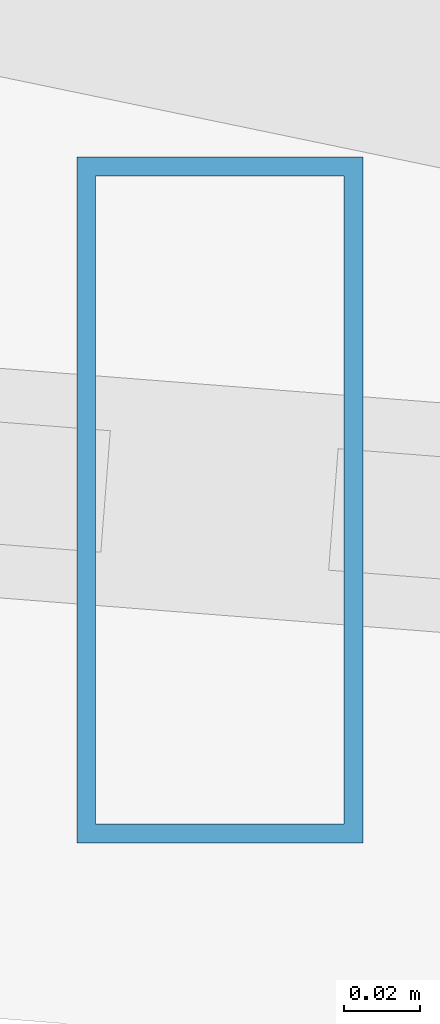
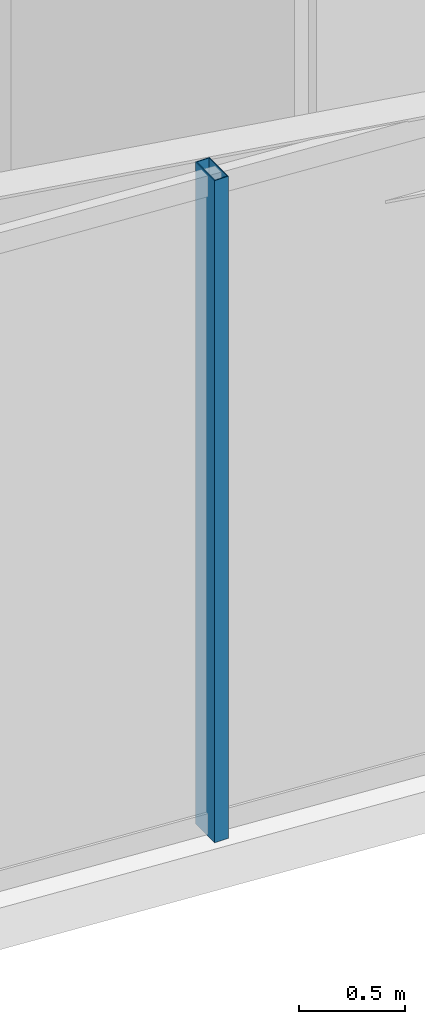
# One storey, part 4 of 30: 1 member, 1 element without a shape of its own.
"""IFC4 building model written with IfcOpenShell, lengths in metres."""

from ifc_helpers import new_model, si_unit, direction, frame, origin, origin_2d, place, context, subcontext, project, spatial, hollow_rectangle, extrude, material, layer, layer_set, material_profile, profile_set, type_object, element, aggregate, save


model = new_model("IFC4")

# Units and contexts
model_context = context("Model", 3, precision=1e-05, world=origin(), true_north=direction((0.0, 1.0)))
body_context = subcontext(model_context, "Body", "Model", "MODEL_VIEW")
ifc_project = project(units=[si_unit("LENGTHUNIT", "METRE"), si_unit("AREAUNIT", "SQUARE_METRE"), si_unit("VOLUMEUNIT", "CUBIC_METRE"), si_unit("PLANEANGLEUNIT", "RADIAN"), si_unit("MASSUNIT", "GRAM", prefix="KILO")], contexts=[model_context])

# Site, building, storey
site_placement = place(None, origin())
site = spatial("IfcSite", under=ifc_project, at=site_placement, CompositionType="ELEMENT")
building_placement = place(site_placement, origin())
building = spatial("IfcBuilding", under=site, at=building_placement, Name="Veymaron Broadcast Tower", CompositionType="ELEMENT")
storey_placement = place(building_placement, frame((0.0, 0.0, 66.14990234375)))
storey = spatial("IfcBuildingStorey", under=building, at=storey_placement, Name="L14", CompositionType="ELEMENT", Elevation=66.14990234375)

# Curtain wall, member
ifc_material_1 = material(Name="Anodised aluminium AA 6063-T6 and laminated low-E dark glass", Category="aluminium")
ifc_layer = layer(ifc_material_1, 0.179931640625)
ifc_layer_set = layer_set([ifc_layer], Name="Anodised aluminium AA 6063-T6 and laminated low-E dark glass")
curtain_wall_type = type_object("IfcCurtainWallType", Name="CW-SYS-02", PredefinedType="NOTDEFINED", material=ifc_layer_set)
curtain_wall_placement = place(storey_placement, origin())
curtain_wall = element("IfcCurtainWall", 1, at=curtain_wall_placement, inside=storey, type_object=curtain_wall_type, Name="L14 dark-glass curtain wall CW-L14-E14-1", PredefinedType="NOTDEFINED")
ifc_material_2 = material(Name="Anodised aluminium AA 6063-T6", Category="aluminium")
ifc_material_profile = material_profile(ifc_material_2, hollow_rectangle(XDim=0.074951171875, YDim=0.179931640625, WallThickness=0.0048828125, at=origin_2d()), Name="AL180X75X5")
ifc_profile_set = profile_set([ifc_material_profile], Name="Anodised aluminium AA 6063-T6")
member_type = type_object("IfcMemberType", Name="CW-MUL-02", PredefinedType="MULLION", material=ifc_profile_set)
member_placement = place(storey_placement, frame((19.5830078125, 18.211669921875, 0.0), z_axis=(0.0, 0.0, 1.0), x_axis=(1.0, 0.0, 0.0)))
member = element("IfcMember", 2, at=member_placement, type_object=member_type, Name="CW-L14-E14-1 mullion 2", PredefinedType="MULLION", context=body_context, shape_type="SweptSolid", body=[
    extrude(hollow_rectangle(XDim=0.074951171875, YDim=0.179931640625, WallThickness=0.0048828125, at=origin_2d()), origin(), (0.0, 0.0, 1.0), 3.81005859375),
])
aggregate(curtain_wall, [member])

save(model, "model.ifc")
